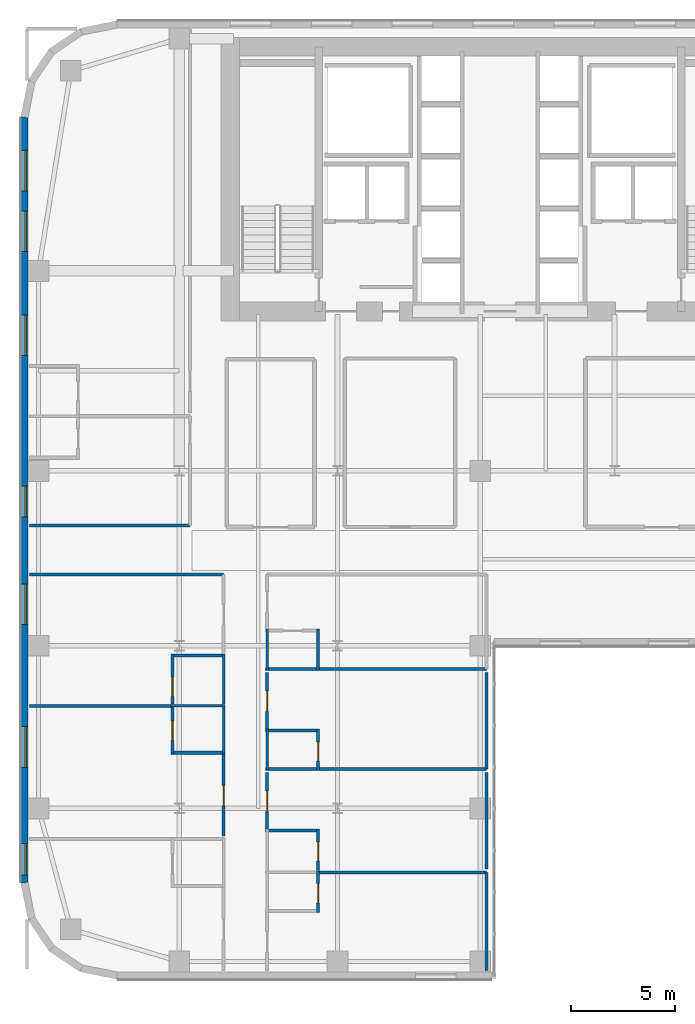
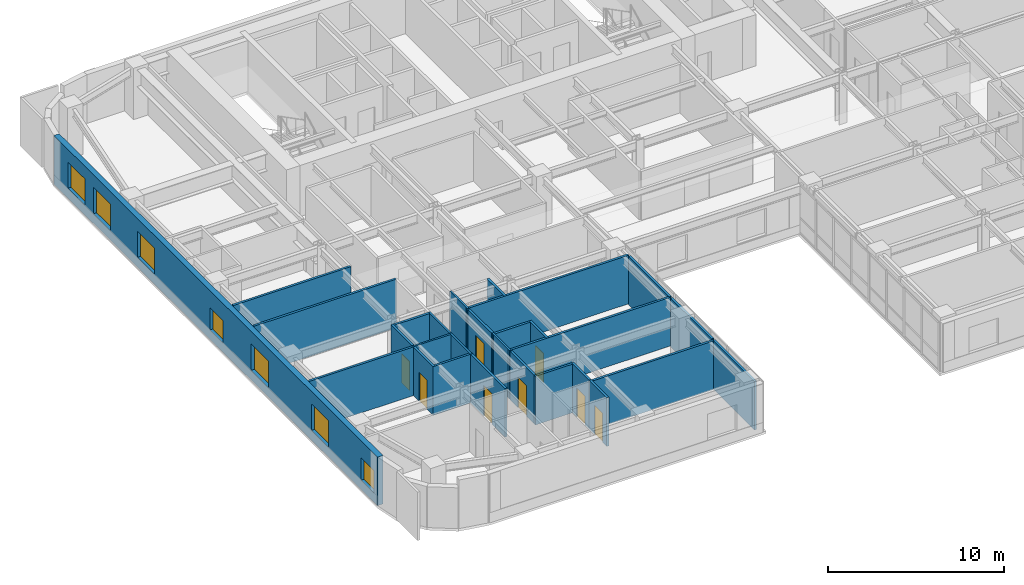
# One storey, part 14 of 25: 28 walls, 8 doors, 7 windows, 15 openings.
"""IFC4 building model written with IfcOpenShell, lengths in metres."""

from ifc_helpers import new_model, si_unit, direction, frame, frame_2d, origin, place, context, subcontext, project, spatial, rectangle, extrude, source, transform, mapped, material, layer, layer_set, type_object, type_shapes, element, fill, save


model = new_model("IFC4")

# Units and contexts
model_context = context("Model", 3, precision=1e-05, world=origin(), true_north=direction((0.0, 1.0)))
body_context = subcontext(model_context, "Body", "Model", "MODEL_VIEW")
ifc_project = project(units=[si_unit("LENGTHUNIT", "METRE"), si_unit("AREAUNIT", "SQUARE_METRE"), si_unit("VOLUMEUNIT", "CUBIC_METRE"), si_unit("PLANEANGLEUNIT", "RADIAN"), si_unit("MASSUNIT", "GRAM", prefix="KILO")], contexts=[model_context])

# Site, building, storey
site_placement = place(None, origin())
site = spatial("IfcSite", under=ifc_project, at=site_placement, CompositionType="ELEMENT")
building_placement = place(site_placement, origin())
building = spatial("IfcBuilding", under=site, at=building_placement, Name="Tolvann Quenvar Hotel", CompositionType="ELEMENT")
storey_placement = place(building_placement, frame((0.0, 0.0, 46.199951171875)))
storey = spatial("IfcBuildingStorey", under=building, at=storey_placement, Name="L10", CompositionType="ELEMENT", Elevation=46.199951171875)

# Wall, openings, windows
ifc_material_1 = material(Name="Kiln-fired red and buff architectural clay brickwork and terracotta masonry", Category="masonry")
ifc_layer_1 = layer(ifc_material_1, 0.35009765625)
ifc_layer_set_1 = layer_set([ifc_layer_1], Name="Kiln-fired red and buff architectural clay brickwork and terracotta masonry")
wall_type_1 = type_object("IfcWallType", Name="WALL_EXT_BRICK_350", PredefinedType="SOLIDWALL", material=ifc_layer_set_1)
wall_1_placement = place(storey_placement, frame((0.175048828125, 41.3828125, 0.0), z_axis=(0.0, 0.0, 1.0), x_axis=(0.0, -1.0, 0.0)))
wall_1 = element("IfcWall", 1, at=wall_1_placement, inside=storey, type_object=wall_type_1, Name="Exterior Chicago Brick Wall L10-E23", PredefinedType="SOLIDWALL", context=body_context, shape_type="SweptSolid", body=[
    extrude(rectangle(XDim=36.765625, YDim=0.35009765625, at=frame_2d((18.3828125, 0.0))), origin(), (0.0, 0.0, 1.0), 3.3701171875),
])
opening_1_placement = place(wall_1_placement, frame((1.60107421875, 0.0, 0.679931640625)))
opening_1 = element("IfcOpeningElement", 2, at=opening_1_placement, cuts=wall_1, Name="Opening W-10", PredefinedType="OPENING", context=body_context, shape_type="SweptSolid", body=[
    extrude(rectangle(XDim=1.949951171875, YDim=1.820068359375, at=frame_2d((0.97509765625, 0.91015625))), frame((0.0, 0.18505859375, 0.0), z_axis=(0.0, -1.0, 0.0), x_axis=(1.0, 0.0, 0.0)), (0.0, 0.0, 1.0), 0.3701171875),
])
opening_2_placement = place(wall_1_placement, frame((4.5029296875, 0.0, 0.679931640625)))
opening_2 = element("IfcOpeningElement", 3, at=opening_2_placement, cuts=wall_1, Name="Opening W-10", PredefinedType="OPENING", context=body_context, shape_type="SweptSolid", body=[
    extrude(rectangle(XDim=1.949951171875, YDim=1.820068359375, at=frame_2d((0.97509765625, 0.91015625))), frame((0.0, 0.18505859375, 0.0), z_axis=(0.0, -1.0, 0.0), x_axis=(1.0, 0.0, 0.0)), (0.0, 0.0, 1.0), 0.3701171875),
])
opening_3_placement = place(wall_1_placement, frame((9.50390625, 0.0, 0.679931640625)))
opening_3 = element("IfcOpeningElement", 4, at=opening_3_placement, cuts=wall_1, Name="Opening W-10", PredefinedType="OPENING", context=body_context, shape_type="SweptSolid", body=[
    extrude(rectangle(XDim=1.949951171875, YDim=1.820068359375, at=frame_2d((0.97509765625, 0.91015625))), frame((0.0, 0.18505859375, 0.0), z_axis=(0.0, -1.0, 0.0), x_axis=(1.0, 0.0, 0.0)), (0.0, 0.0, 1.0), 0.3701171875),
])
opening_4_placement = place(wall_1_placement, frame((22.409912109375, 0.0, 0.679931640625)))
opening_4 = element("IfcOpeningElement", 5, at=opening_4_placement, cuts=wall_1, Name="Opening W-10", PredefinedType="OPENING", context=body_context, shape_type="SweptSolid", body=[
    extrude(rectangle(XDim=1.949951171875, YDim=1.820068359375, at=frame_2d((0.97509765625, 0.91015625))), frame((0.0, 0.18505859375, 0.0), z_axis=(0.0, -1.0, 0.0), x_axis=(1.0, 0.0, 0.0)), (0.0, 0.0, 1.0), 0.3701171875),
])
opening_5_placement = place(wall_1_placement, frame((29.262939453125, 0.0, 0.679931640625)))
opening_5 = element("IfcOpeningElement", 6, at=opening_5_placement, cuts=wall_1, Name="Opening W-10", PredefinedType="OPENING", context=body_context, shape_type="SweptSolid", body=[
    extrude(rectangle(XDim=1.949951171875, YDim=1.820068359375, at=frame_2d((0.97509765625, 0.91015625))), frame((0.0, 0.18505859375, 0.0), z_axis=(0.0, -1.0, 0.0), x_axis=(1.0, 0.0, 0.0)), (0.0, 0.0, 1.0), 0.3701171875),
])
opening_6_placement = place(wall_1_placement, frame((34.87890625, 0.0, 0.6201171875)))
opening_6 = element("IfcOpeningElement", 7, at=opening_6_placement, cuts=wall_1, Name="Opening W-08", PredefinedType="OPENING", context=body_context, shape_type="SweptSolid", body=[
    extrude(rectangle(XDim=1.5, YDim=1.550048828125, at=frame_2d((0.75, 0.77490234375))), frame((0.0, 0.18505859375, 0.0), z_axis=(0.0, -1.0, 0.0), x_axis=(1.0, 0.0, 0.0)), (0.0, 0.0, 1.0), 0.3701171875),
])
opening_7_placement = place(wall_1_placement, frame((17.7041015625, 0.0, 0.6201171875)))
opening_7 = element("IfcOpeningElement", 8, at=opening_7_placement, cuts=wall_1, Name="Opening W-08", PredefinedType="OPENING", context=body_context, shape_type="SweptSolid", body=[
    extrude(rectangle(XDim=1.5, YDim=1.550048828125, at=frame_2d((0.75, 0.77490234375))), frame((0.0, 0.18505859375, 0.0), z_axis=(0.0, -1.0, 0.0), x_axis=(1.0, 0.0, 0.0)), (0.0, 0.0, 1.0), 0.3701171875),
])
ifc_material_2 = material(Name="Thermally broken bronze-anodised aluminium frame with double low-E glazing", Category="aluminium")
window_type_1 = type_object("IfcWindowType", Name="WIN_COR_1500x2050", PartitioningType="SINGLE_PANEL", PredefinedType="WINDOW", material=ifc_material_2)
shared_shape_1 = source(origin(), body_context, "Body", "SweptSolid", [
    extrude(rectangle(XDim=1.5, YDim=1.550048828125, at=frame_2d((0.75, 0.77490234375))), frame((0.0, 0.090087890625, 0.0), z_axis=(0.0, -1.0, 0.0), x_axis=(1.0, 0.0, 0.0)), (0.0, 0.0, 1.0), 0.06005859375),
])
type_shapes(window_type_1, [shared_shape_1])
window_1_placement = place(opening_6_placement, origin())
window_1 = element("IfcWindow", 9, at=window_1_placement, inside=storey, type_object=window_type_1, Name="Chicago Window W-08 (EW-L10-E23-WD06)", OverallHeight=1.550048828125, OverallWidth=1.5, PartitioningType="SINGLE_PANEL", PredefinedType="WINDOW", context=body_context, shape_type="MappedRepresentation", body=[
    mapped(shared_shape_1, transform((0.0, 0.0, 0.0), x_axis=(1.0, 0.0, 0.0), y_axis=(0.0, 1.0, 0.0), z_axis=(0.0, 0.0, 1.0), scale=1.0)),
])
fill(opening_6, window_1)
window_2_placement = place(opening_7_placement, origin())
window_2 = element("IfcWindow", 10, at=window_2_placement, inside=storey, type_object=window_type_1, Name="Chicago Window W-08 (EW-L10-E23-WD07)", OverallHeight=1.550048828125, OverallWidth=1.5, PartitioningType="SINGLE_PANEL", PredefinedType="WINDOW", context=body_context, shape_type="MappedRepresentation", body=[
    mapped(shared_shape_1, transform((0.0, 0.0, 0.0), x_axis=(1.0, 0.0, 0.0), y_axis=(0.0, 1.0, 0.0), z_axis=(0.0, 0.0, 1.0), scale=1.0)),
])
fill(opening_7, window_2)
window_type_2 = type_object("IfcWindowType", Name="WIN_CLB_1950x1850", PartitioningType="DOUBLE_PANEL_VERTICAL", PredefinedType="WINDOW", material=ifc_material_2)
shared_shape_2 = source(origin(), body_context, "Body", "SweptSolid", [
    extrude(rectangle(XDim=1.949951171875, YDim=1.820068359375, at=frame_2d((0.97509765625, 0.91015625))), frame((0.0, 0.090087890625, 0.0), z_axis=(0.0, -1.0, 0.0), x_axis=(1.0, 0.0, 0.0)), (0.0, 0.0, 1.0), 0.06005859375),
])
type_shapes(window_type_2, [shared_shape_2])
window_3_placement = place(opening_1_placement, origin())
window_3 = element("IfcWindow", 11, at=window_3_placement, inside=storey, type_object=window_type_2, Name="Chicago Window W-10 (EW-L10-E23-W01)", OverallHeight=1.820068359375, OverallWidth=1.949951171875, PartitioningType="DOUBLE_PANEL_VERTICAL", PredefinedType="WINDOW", context=body_context, shape_type="MappedRepresentation", body=[
    mapped(shared_shape_2, transform((0.0, 0.0, 0.0), x_axis=(1.0, 0.0, 0.0), y_axis=(0.0, 1.0, 0.0), z_axis=(0.0, 0.0, 1.0), scale=1.0)),
])
fill(opening_1, window_3)
window_4_placement = place(opening_2_placement, origin())
window_4 = element("IfcWindow", 12, at=window_4_placement, inside=storey, type_object=window_type_2, Name="Chicago Window W-10 (EW-L10-E23-W02)", OverallHeight=1.820068359375, OverallWidth=1.949951171875, PartitioningType="DOUBLE_PANEL_VERTICAL", PredefinedType="WINDOW", context=body_context, shape_type="MappedRepresentation", body=[
    mapped(shared_shape_2, transform((0.0, 0.0, 0.0), x_axis=(1.0, 0.0, 0.0), y_axis=(0.0, 1.0, 0.0), z_axis=(0.0, 0.0, 1.0), scale=1.0)),
])
fill(opening_2, window_4)
window_5_placement = place(opening_3_placement, origin())
window_5 = element("IfcWindow", 13, at=window_5_placement, inside=storey, type_object=window_type_2, Name="Chicago Window W-10 (EW-L10-E23-W03)", OverallHeight=1.820068359375, OverallWidth=1.949951171875, PartitioningType="DOUBLE_PANEL_VERTICAL", PredefinedType="WINDOW", context=body_context, shape_type="MappedRepresentation", body=[
    mapped(shared_shape_2, transform((0.0, 0.0, 0.0), x_axis=(1.0, 0.0, 0.0), y_axis=(0.0, 1.0, 0.0), z_axis=(0.0, 0.0, 1.0), scale=1.0)),
])
fill(opening_3, window_5)
window_6_placement = place(opening_4_placement, origin())
window_6 = element("IfcWindow", 14, at=window_6_placement, inside=storey, type_object=window_type_2, Name="Chicago Window W-10 (EW-L10-E23-W04)", OverallHeight=1.820068359375, OverallWidth=1.949951171875, PartitioningType="DOUBLE_PANEL_VERTICAL", PredefinedType="WINDOW", context=body_context, shape_type="MappedRepresentation", body=[
    mapped(shared_shape_2, transform((0.0, 0.0, 0.0), x_axis=(1.0, 0.0, 0.0), y_axis=(0.0, 1.0, 0.0), z_axis=(0.0, 0.0, 1.0), scale=1.0)),
])
fill(opening_4, window_6)
window_7_placement = place(opening_5_placement, origin())
window_7 = element("IfcWindow", 15, at=window_7_placement, inside=storey, type_object=window_type_2, Name="Chicago Window W-10 (EW-L10-E23-W05)", OverallHeight=1.820068359375, OverallWidth=1.949951171875, PartitioningType="DOUBLE_PANEL_VERTICAL", PredefinedType="WINDOW", context=body_context, shape_type="MappedRepresentation", body=[
    mapped(shared_shape_2, transform((0.0, 0.0, 0.0), x_axis=(1.0, 0.0, 0.0), y_axis=(0.0, 1.0, 0.0), z_axis=(0.0, 0.0, 1.0), scale=1.0)),
])
fill(opening_5, window_7)

# Walls
ifc_material_3 = material(Name="Moisture-resistant acoustic plumbing wall assembly")
ifc_layer_2 = layer(ifc_material_3, 0.1201171875)
ifc_layer_set_2 = layer_set([ifc_layer_2], Name="Moisture-resistant acoustic plumbing wall assembly")
wall_type_2 = type_object("IfcWallType", Name="WALL_PART_BATH_120", PredefinedType="PLUMBINGWALL", material=ifc_layer_set_2)
wall_2_placement = place(storey_placement, frame((7.2099609375, 13.1201171875, 0.0), z_axis=(0.0, 0.0, 1.0), x_axis=(1.0, 0.0, 0.0)))
element("IfcWall", 16, at=wall_2_placement, inside=storey, type_object=wall_type_2, Name="Non-Rated Plumbing Partition PT-SPC-L10-ENS-WO02-N", PredefinedType="PLUMBINGWALL", context=body_context, shape_type="SweptSolid", body=[
    extrude(rectangle(XDim=2.590087890625, YDim=0.1201171875, at=frame_2d((1.294921875, 0.0))), origin(), (0.0, 0.0, 1.0), 3.3701171875),
])
wall_3_placement = place(storey_placement, frame((9.72998046875, 10.800048828125, 0.0), z_axis=(0.0, 0.0, 1.0), x_axis=(0.0, 1.0, 0.0)))
element("IfcWall", 17, at=wall_3_placement, inside=storey, type_object=wall_type_2, Name="Non-Rated Plumbing Partition PT-SPC-L10-ENS-WO02-E", PredefinedType="PLUMBINGWALL", context=body_context, shape_type="SweptSolid", body=[
    extrude(rectangle(XDim=2.389892578125, YDim=0.1201171875, at=frame_2d((1.19482421875, 0.0))), origin(), (0.0, 0.0, 1.0), 3.3701171875),
])
wall_4_placement = place(storey_placement, frame((9.72998046875, 13.2099609375, 0.0), z_axis=(0.0, 0.0, 1.0), x_axis=(0.0, 1.0, 0.0)))
element("IfcWall", 18, at=wall_4_placement, inside=storey, type_object=wall_type_2, Name="Non-Rated Plumbing Partition PT-SPC-L10-ENS-WO03-E", PredefinedType="PLUMBINGWALL", context=body_context, shape_type="SweptSolid", body=[
    extrude(rectangle(XDim=2.39013671875, YDim=0.1201171875, at=frame_2d((1.195068359375, 0.0))), origin(), (0.0, 0.0, 1.0), 3.3701171875),
])
for number, where, z_axis, x_axis, name in (
    (19, (11.820068359375, 10.010009765625, 0.0), (0.0, 0.0, 1.0), (0.0, 1.0, 0.0), "Non-Rated Plumbing Partition PT-SPC-L10-ENS-WI03-W"),
    (20, (11.820068359375, 14.81005859375, 0.0), (0.0, 0.0, 1.0), (0.0, 1.0, 0.0), "Non-Rated Plumbing Partition PT-SPC-L10-ENS-WI04-W"),
):
    element("IfcWall", number, at=place(storey_placement, frame(where, z_axis=z_axis, x_axis=x_axis)), inside=storey, type_object=wall_type_2, Name=name, PredefinedType="PLUMBINGWALL", context=body_context, shape_type="SweptSolid", body=[
        extrude(rectangle(XDim=1.989990234375, YDim=0.1201171875, at=frame_2d((0.9951171875, 0.0))), origin(), (0.0, 0.0, 1.0), 3.3701171875),
    ])

# Wall, opening, door
ifc_material_4 = material(Name="Acoustic twin-stud fire-rated gypsum plasterboard partition")
ifc_layer_3 = layer(ifc_material_4, 0.14990234375)
ifc_layer_set_3 = layer_set([ifc_layer_3], Name="Acoustic twin-stud fire-rated gypsum plasterboard partition")
wall_type_3 = type_object("IfcWallType", Name="WALL_PART_SUITE_150", PredefinedType="PARTITIONING", material=ifc_layer_set_3)
wall_5_placement = place(storey_placement, frame((7.280029296875, 10.800048828125, 0.0), z_axis=(0.0, 0.0, 1.0), x_axis=(0.0, 1.0, 0.0)))
wall_5 = element("IfcWall", 21, at=wall_5_placement, inside=storey, type_object=wall_type_3, Name="Interior Partition PT-SPC-L10-ENS-WO02-ENT", PredefinedType="PARTITIONING", context=body_context, shape_type="SweptSolid", body=[
    extrude(rectangle(XDim=2.389892578125, YDim=0.14990234375, at=frame_2d((1.19482421875, 0.0))), origin(), (0.0, 0.0, 1.0), 3.3701171875),
])
opening_8_placement = place(wall_5_placement, frame((0.6650390625, 0.0, 0.0)))
opening_8 = element("IfcOpeningElement", 22, at=opening_8_placement, cuts=wall_5, Name="Opening WD-01", PredefinedType="OPENING", context=body_context, shape_type="SweptSolid", body=[
    extrude(rectangle(XDim=0.919921875, YDim=2.010009765625, at=frame_2d((0.4599609375, 1.0048828125))), frame((0.0, 0.0849609375, 0.0), z_axis=(0.0, -1.0, 0.0), x_axis=(1.0, 0.0, 0.0)), (0.0, 0.0, 1.0), 0.169921875),
])
ifc_material_5 = material(Name="Solid-core American oak acoustic fire door leaf in steel frame", Category="steel")
door_type_1 = type_object("IfcDoorType", Name="DOOR_WC_920", OperationType="NOTDEFINED", PredefinedType="DOOR", material=ifc_material_5)
shared_shape_3 = source(origin(), body_context, "Body", "SweptSolid", [
    extrude(rectangle(XDim=0.919921875, YDim=2.010009765625, at=frame_2d((0.4599609375, 1.0048828125))), frame((0.0, 0.02490234375, 0.0), z_axis=(0.0, -1.0, 0.0), x_axis=(1.0, 0.0, 0.0)), (0.0, 0.0, 1.0), 0.050048828125),
])
type_shapes(door_type_1, [shared_shape_3])
door_1_placement = place(opening_8_placement, origin())
door_1 = element("IfcDoor", 23, at=door_1_placement, inside=storey, type_object=door_type_1, Name="Interior Door DOOR-SPC-L10-ENS-WO02", OperationType="SINGLE_SWING_LEFT", OverallHeight=2.010009765625, OverallWidth=0.919921875, PredefinedType="DOOR", context=body_context, shape_type="MappedRepresentation", body=[
    mapped(shared_shape_3, transform((0.0, 0.0, 0.0), x_axis=(1.0, 0.0, 0.0), y_axis=(0.0, 1.0, 0.0), z_axis=(0.0, 0.0, 1.0), scale=1.0)),
])
fill(opening_8, door_1)

# Wall
wall_6_placement = place(storey_placement, frame((7.2099609375, 10.8701171875, 0.0), z_axis=(0.0, 0.0, 1.0), x_axis=(1.0, 0.0, 0.0)))
element("IfcWall", 24, at=wall_6_placement, inside=storey, type_object=wall_type_3, Name="Interior Partition PT-SPC-L10-ENS-WO02-S", PredefinedType="PARTITIONING", context=body_context, shape_type="SweptSolid", body=[
    extrude(rectangle(XDim=2.590087890625, YDim=0.14990234375, at=frame_2d((1.294921875, 0.0))), origin(), (0.0, 0.0, 1.0), 3.3701171875),
])

# Wall, opening, door
wall_7_placement = place(storey_placement, frame((7.280029296875, 13.2099609375, 0.0), z_axis=(0.0, 0.0, 1.0), x_axis=(0.0, 1.0, 0.0)))
wall_7 = element("IfcWall", 25, at=wall_7_placement, inside=storey, type_object=wall_type_3, Name="Interior Partition PT-SPC-L10-ENS-WO03-ENT", PredefinedType="PARTITIONING", context=body_context, shape_type="SweptSolid", body=[
    extrude(rectangle(XDim=2.39013671875, YDim=0.14990234375, at=frame_2d((1.195068359375, 0.0))), origin(), (0.0, 0.0, 1.0), 3.3701171875),
])
opening_9_placement = place(wall_7_placement, frame((0.364990234375, 0.0, 0.0)))
opening_9 = element("IfcOpeningElement", 26, at=opening_9_placement, cuts=wall_7, Name="Opening WD-01", PredefinedType="OPENING", context=body_context, shape_type="SweptSolid", body=[
    extrude(rectangle(XDim=0.919921875, YDim=2.010009765625, at=frame_2d((0.4599609375, 1.0048828125))), frame((0.0, 0.0849609375, 0.0), z_axis=(0.0, -1.0, 0.0), x_axis=(1.0, 0.0, 0.0)), (0.0, 0.0, 1.0), 0.169921875),
])
door_2_placement = place(opening_9_placement, origin())
door_2 = element("IfcDoor", 27, at=door_2_placement, inside=storey, type_object=door_type_1, Name="Interior Door DOOR-SPC-L10-ENS-WO03", OperationType="SINGLE_SWING_RIGHT", OverallHeight=2.010009765625, OverallWidth=0.919921875, PredefinedType="DOOR", context=body_context, shape_type="MappedRepresentation", body=[
    mapped(shared_shape_3, transform((0.0, 0.0, 0.0), x_axis=(1.0, 0.0, 0.0), y_axis=(0.0, 1.0, 0.0), z_axis=(0.0, 0.0, 1.0), scale=1.0)),
])
fill(opening_9, door_2)

# Wall
wall_8_placement = place(storey_placement, frame((7.2099609375, 15.530029296875, 0.0), z_axis=(0.0, 0.0, 1.0), x_axis=(1.0, 0.0, 0.0)))
element("IfcWall", 28, at=wall_8_placement, inside=storey, type_object=wall_type_3, Name="Interior Partition PT-SPC-L10-ENS-WO03-N", PredefinedType="PARTITIONING", context=body_context, shape_type="SweptSolid", body=[
    extrude(rectangle(XDim=2.590087890625, YDim=0.14990234375, at=frame_2d((1.294921875, 0.0))), origin(), (0.0, 0.0, 1.0), 3.3701171875),
])

# Wall, opening, door
wall_9_placement = place(storey_placement, frame((14.27001953125, 3.199951171875, 0.0), z_axis=(0.0, 0.0, 1.0), x_axis=(0.0, 1.0, 0.0)))
wall_9 = element("IfcWall", 29, at=wall_9_placement, inside=storey, type_object=wall_type_3, Name="Interior Partition PT-SPC-L10-ENS-WI01-ENT", PredefinedType="PARTITIONING", context=body_context, shape_type="SweptSolid", body=[
    extrude(rectangle(XDim=1.989990234375, YDim=0.14990234375, at=frame_2d((0.9951171875, 0.0))), origin(), (0.0, 0.0, 1.0), 3.3701171875),
])
opening_10_placement = place(wall_9_placement, frame((0.465087890625, 0.0, 0.0)))
opening_10 = element("IfcOpeningElement", 30, at=opening_10_placement, cuts=wall_9, Name="Opening WD-01", PredefinedType="OPENING", context=body_context, shape_type="SweptSolid", body=[
    extrude(rectangle(XDim=0.919921875, YDim=2.010009765625, at=frame_2d((0.4599609375, 1.0048828125))), frame((0.0, 0.0849609375, 0.0), z_axis=(0.0, -1.0, 0.0), x_axis=(1.0, 0.0, 0.0)), (0.0, 0.0, 1.0), 0.169921875),
])
door_3_placement = place(opening_10_placement, origin())
door_3 = element("IfcDoor", 31, at=door_3_placement, inside=storey, type_object=door_type_1, Name="Interior Door DOOR-SPC-L10-ENS-WI01", OperationType="SINGLE_SWING_LEFT", OverallHeight=2.010009765625, OverallWidth=0.919921875, PredefinedType="DOOR", context=body_context, shape_type="MappedRepresentation", body=[
    mapped(shared_shape_3, transform((0.0, 0.0, 0.0), x_axis=(1.0, 0.0, 0.0), y_axis=(0.0, 1.0, 0.0), z_axis=(0.0, 0.0, 1.0), scale=1.0)),
])
fill(opening_10, door_3)

wall_10_placement = place(storey_placement, frame((14.27001953125, 5.2099609375, 0.0), z_axis=(0.0, 0.0, 1.0), x_axis=(0.0, 1.0, 0.0)))
wall_10 = element("IfcWall", 32, at=wall_10_placement, inside=storey, type_object=wall_type_3, Name="Interior Partition PT-SPC-L10-ENS-WI02-ENT", PredefinedType="PARTITIONING", context=body_context, shape_type="SweptSolid", body=[
    extrude(rectangle(XDim=1.989990234375, YDim=0.14990234375, at=frame_2d((0.9951171875, 0.0))), origin(), (0.0, 0.0, 1.0), 3.3701171875),
])
opening_11_placement = place(wall_10_placement, frame((0.465087890625, 0.0, 0.0)))
opening_11 = element("IfcOpeningElement", 33, at=opening_11_placement, cuts=wall_10, Name="Opening WD-01", PredefinedType="OPENING", context=body_context, shape_type="SweptSolid", body=[
    extrude(rectangle(XDim=0.919921875, YDim=2.010009765625, at=frame_2d((0.4599609375, 1.0048828125))), frame((0.0, 0.0849609375, 0.0), z_axis=(0.0, -1.0, 0.0), x_axis=(1.0, 0.0, 0.0)), (0.0, 0.0, 1.0), 0.169921875),
])
door_4_placement = place(opening_11_placement, origin())
door_4 = element("IfcDoor", 34, at=door_4_placement, inside=storey, type_object=door_type_1, Name="Interior Door DOOR-SPC-L10-ENS-WI02", OperationType="SINGLE_SWING_RIGHT", OverallHeight=2.010009765625, OverallWidth=0.919921875, PredefinedType="DOOR", context=body_context, shape_type="MappedRepresentation", body=[
    mapped(shared_shape_3, transform((0.0, 0.0, 0.0), x_axis=(1.0, 0.0, 0.0), y_axis=(0.0, 1.0, 0.0), z_axis=(0.0, 0.0, 1.0), scale=1.0)),
])
fill(opening_11, door_4)

# Wall
wall_11_placement = place(storey_placement, frame((11.75, 7.1298828125, 0.0), z_axis=(0.0, 0.0, 1.0), x_axis=(1.0, 0.0, 0.0)))
element("IfcWall", 35, at=wall_11_placement, inside=storey, type_object=wall_type_3, Name="Interior Partition PT-SPC-L10-ENS-WI02-N", PredefinedType="PARTITIONING", context=body_context, shape_type="SweptSolid", body=[
    extrude(rectangle(XDim=2.590087890625, YDim=0.14990234375, at=frame_2d((1.294921875, 0.0))), origin(), (0.0, 0.0, 1.0), 3.3701171875),
])

# Wall, opening, door
wall_12_placement = place(storey_placement, frame((14.27001953125, 10.010009765625, 0.0), z_axis=(0.0, 0.0, 1.0), x_axis=(0.0, 1.0, 0.0)))
wall_12 = element("IfcWall", 36, at=wall_12_placement, inside=storey, type_object=wall_type_3, Name="Interior Partition PT-SPC-L10-ENS-WI03-ENT", PredefinedType="PARTITIONING", context=body_context, shape_type="SweptSolid", body=[
    extrude(rectangle(XDim=1.989990234375, YDim=0.14990234375, at=frame_2d((0.9951171875, 0.0))), origin(), (0.0, 0.0, 1.0), 3.3701171875),
])
opening_12_placement = place(wall_12_placement, frame((0.465087890625, 0.0, 0.0)))
opening_12 = element("IfcOpeningElement", 37, at=opening_12_placement, cuts=wall_12, Name="Opening WD-01", PredefinedType="OPENING", context=body_context, shape_type="SweptSolid", body=[
    extrude(rectangle(XDim=0.919921875, YDim=2.010009765625, at=frame_2d((0.4599609375, 1.0048828125))), frame((0.0, 0.0849609375, 0.0), z_axis=(0.0, -1.0, 0.0), x_axis=(1.0, 0.0, 0.0)), (0.0, 0.0, 1.0), 0.169921875),
])
door_5_placement = place(opening_12_placement, origin())
door_5 = element("IfcDoor", 38, at=door_5_placement, inside=storey, type_object=door_type_1, Name="Interior Door DOOR-SPC-L10-ENS-WI03", OperationType="SINGLE_SWING_LEFT", OverallHeight=2.010009765625, OverallWidth=0.919921875, PredefinedType="DOOR", context=body_context, shape_type="MappedRepresentation", body=[
    mapped(shared_shape_3, transform((0.0, 0.0, 0.0), x_axis=(1.0, 0.0, 0.0), y_axis=(0.0, 1.0, 0.0), z_axis=(0.0, 0.0, 1.0), scale=1.0)),
])
fill(opening_12, door_5)

# Walls
wall_13_placement = place(storey_placement, frame((11.75, 10.080078125, 0.0), z_axis=(0.0, 0.0, 1.0), x_axis=(1.0, 0.0, 0.0)))
element("IfcWall", 39, at=wall_13_placement, inside=storey, type_object=wall_type_3, Name="Interior Partition PT-SPC-L10-ENS-WI03-S", PredefinedType="PARTITIONING", context=body_context, shape_type="SweptSolid", body=[
    extrude(rectangle(XDim=10.60009765625, YDim=0.14990234375, at=frame_2d((5.300048828125, 0.0))), origin(), (0.0, 0.0, 1.0), 3.3701171875),
])
wall_14_placement = place(storey_placement, frame((11.75, 11.929931640625, 0.0), z_axis=(0.0, 0.0, 1.0), x_axis=(1.0, 0.0, 0.0)))
element("IfcWall", 40, at=wall_14_placement, inside=storey, type_object=wall_type_3, Name="Interior Partition PT-SPC-L10-ENS-WI03-N", PredefinedType="PARTITIONING", context=body_context, shape_type="SweptSolid", body=[
    extrude(rectangle(XDim=2.590087890625, YDim=0.14990234375, at=frame_2d((1.294921875, 0.0))), origin(), (0.0, 0.0, 1.0), 3.3701171875),
])
wall_15_placement = place(storey_placement, frame((14.27001953125, 14.81005859375, 0.0), z_axis=(0.0, 0.0, 1.0), x_axis=(0.0, 1.0, 0.0)))
element("IfcWall", 41, at=wall_15_placement, inside=storey, type_object=wall_type_3, Name="Interior Partition PT-SPC-L10-ENS-WI04-ENT", PredefinedType="PARTITIONING", context=body_context, shape_type="SweptSolid", body=[
    extrude(rectangle(XDim=1.989990234375, YDim=0.14990234375, at=frame_2d((0.9951171875, 0.0))), origin(), (0.0, 0.0, 1.0), 3.3701171875),
])
wall_16_placement = place(storey_placement, frame((11.75, 14.8798828125, 0.0), z_axis=(0.0, 0.0, 1.0), x_axis=(1.0, 0.0, 0.0)))
element("IfcWall", 42, at=wall_16_placement, inside=storey, type_object=wall_type_3, Name="Interior Partition PT-SPC-L10-ENS-WI04-S", PredefinedType="PARTITIONING", context=body_context, shape_type="SweptSolid", body=[
    extrude(rectangle(XDim=10.60009765625, YDim=0.14990234375, at=frame_2d((5.300048828125, 0.0))), origin(), (0.0, 0.0, 1.0), 3.3701171875),
])

# Wall, opening, door
wall_17_placement = place(storey_placement, frame((9.72998046875, 6.8798828125, 0.0), z_axis=(0.0, 0.0, 1.0), x_axis=(0.0, 1.0, 0.0)))
wall_17 = element("IfcWall", 43, at=wall_17_placement, inside=storey, type_object=wall_type_3, Name="Interior Partition PT-SPC-L10-RM-WO02-ENT", PredefinedType="PARTITIONING", context=body_context, shape_type="SweptSolid", body=[
    extrude(rectangle(XDim=3.91015625, YDim=0.14990234375, at=frame_2d((1.955078125, 0.0))), origin(), (0.0, 0.0, 1.0), 3.3701171875),
])
opening_13_placement = place(wall_17_placement, frame((1.445068359375, 0.0, 0.0)))
opening_13 = element("IfcOpeningElement", 44, at=opening_13_placement, cuts=wall_17, Name="Opening SD-01", PredefinedType="OPENING", context=body_context, shape_type="SweptSolid", body=[
    extrude(rectangle(XDim=0.97998046875, YDim=2.1201171875, at=frame_2d((0.489990234375, 1.06005859375))), frame((0.0, 0.0849609375, 0.0), z_axis=(0.0, -1.0, 0.0), x_axis=(1.0, 0.0, 0.0)), (0.0, 0.0, 1.0), 0.169921875),
])
door_type_2 = type_object("IfcDoorType", Name="DOOR_SUITE_980", OperationType="NOTDEFINED", PredefinedType="DOOR", material=ifc_material_5)
shared_shape_4 = source(origin(), body_context, "Body", "SweptSolid", [
    extrude(rectangle(XDim=0.97998046875, YDim=2.1201171875, at=frame_2d((0.489990234375, 1.06005859375))), frame((0.0, 0.02490234375, 0.0), z_axis=(0.0, -1.0, 0.0), x_axis=(1.0, 0.0, 0.0)), (0.0, 0.0, 1.0), 0.050048828125),
])
type_shapes(door_type_2, [shared_shape_4])
door_6_placement = place(opening_13_placement, origin())
door_6 = element("IfcDoor", 45, at=door_6_placement, inside=storey, type_object=door_type_2, Name="Interior Door DOOR-SPC-L10-RM-WO02", OperationType="SINGLE_SWING_RIGHT", OverallHeight=2.1201171875, OverallWidth=0.97998046875, PredefinedType="DOOR", context=body_context, shape_type="MappedRepresentation", body=[
    mapped(shared_shape_4, transform((0.0, 0.0, 0.0), x_axis=(1.0, 0.0, 0.0), y_axis=(0.0, 1.0, 0.0), z_axis=(0.0, 0.0, 1.0), scale=1.0)),
])
fill(opening_13, door_6)

# Walls
wall_18_placement = place(storey_placement, frame((0.405029296875, 13.1201171875, 0.0), z_axis=(0.0, 0.0, 1.0), x_axis=(1.0, 0.0, 0.0)))
element("IfcWall", 46, at=wall_18_placement, inside=storey, type_object=wall_type_3, Name="Interior Partition PT-SPC-L10-RM-WO02-E5", PredefinedType="PARTITIONING", context=body_context, shape_type="SweptSolid", body=[
    extrude(rectangle(XDim=6.85498046875, YDim=0.14990234375, at=frame_2d((3.427490234375, 0.0))), origin(), (0.0, 0.0, 1.0), 3.3701171875),
])
wall_19_placement = place(storey_placement, frame((0.405029296875, 19.419921875, 0.0), z_axis=(0.0, 0.0, 1.0), x_axis=(1.0, 0.0, 0.0)))
element("IfcWall", 47, at=wall_19_placement, inside=storey, type_object=wall_type_3, Name="Interior Partition PT-SPC-L10-RM-WO03-E5", PredefinedType="PARTITIONING", context=body_context, shape_type="SweptSolid", body=[
    extrude(rectangle(XDim=9.324951171875, YDim=0.14990234375, at=frame_2d((4.66259765625, 0.0))), origin(), (0.0, 0.0, 1.0), 3.3701171875),
])
wall_20_placement = place(storey_placement, frame((22.35009765625, 0.405029296875, 0.0), z_axis=(0.0, 0.0, 1.0), x_axis=(0.0, 1.0, 0.0)))
element("IfcWall", 48, at=wall_20_placement, inside=storey, type_object=wall_type_3, Name="Interior Partition PT-SPC-L10-RM-WI01-E2", PredefinedType="PARTITIONING", context=body_context, shape_type="SweptSolid", body=[
    extrude(rectangle(XDim=4.715087890625, YDim=0.14990234375, at=frame_2d((2.357421875, 0.0))), origin(), (0.0, 0.0, 1.0), 3.3701171875),
])
wall_21_placement = place(storey_placement, frame((14.2900390625, 5.1201171875, 0.0), z_axis=(0.0, 0.0, 1.0), x_axis=(1.0, 0.0, 0.0)))
element("IfcWall", 49, at=wall_21_placement, inside=storey, type_object=wall_type_3, Name="Interior Partition PT-SPC-L10-RM-WI01-E3", PredefinedType="PARTITIONING", context=body_context, shape_type="SweptSolid", body=[
    extrude(rectangle(XDim=8.06005859375, YDim=0.14990234375, at=frame_2d((4.030029296875, 0.0))), origin(), (0.0, 0.0, 1.0), 3.3701171875),
])

# Wall, opening, door
wall_22_placement = place(storey_placement, frame((11.820068359375, 7.2099609375, 0.0), z_axis=(0.0, 0.0, 1.0), x_axis=(0.0, 1.0, 0.0)))
wall_22 = element("IfcWall", 50, at=wall_22_placement, inside=storey, type_object=wall_type_3, Name="Interior Partition PT-SPC-L10-RM-WI02-ENT", PredefinedType="PARTITIONING", context=body_context, shape_type="SweptSolid", body=[
    extrude(rectangle(XDim=2.7099609375, YDim=0.14990234375, at=frame_2d((1.35498046875, 0.0))), origin(), (0.0, 0.0, 1.0), 3.3701171875),
])
opening_14_placement = place(wall_22_placement, frame((0.844970703125, 0.0, 0.0)))
opening_14 = element("IfcOpeningElement", 51, at=opening_14_placement, cuts=wall_22, Name="Opening SD-01", PredefinedType="OPENING", context=body_context, shape_type="SweptSolid", body=[
    extrude(rectangle(XDim=0.97998046875, YDim=2.1201171875, at=frame_2d((0.489990234375, 1.06005859375))), frame((0.0, 0.0849609375, 0.0), z_axis=(0.0, -1.0, 0.0), x_axis=(1.0, 0.0, 0.0)), (0.0, 0.0, 1.0), 0.169921875),
])
door_7_placement = place(opening_14_placement, origin())
door_7 = element("IfcDoor", 52, at=door_7_placement, inside=storey, type_object=door_type_2, Name="Interior Door DOOR-SPC-L10-RM-WI02", OperationType="SINGLE_SWING_LEFT", OverallHeight=2.1201171875, OverallWidth=0.97998046875, PredefinedType="DOOR", context=body_context, shape_type="MappedRepresentation", body=[
    mapped(shared_shape_4, transform((0.0, 0.0, 0.0), x_axis=(1.0, 0.0, 0.0), y_axis=(0.0, 1.0, 0.0), z_axis=(0.0, 0.0, 1.0), scale=1.0)),
])
fill(opening_14, door_7)

# Wall
wall_23_placement = place(storey_placement, frame((22.35009765625, 5.280029296875, 0.0), z_axis=(0.0, 0.0, 1.0), x_axis=(0.0, 1.0, 0.0)))
element("IfcWall", 53, at=wall_23_placement, inside=storey, type_object=wall_type_3, Name="Interior Partition PT-SPC-L10-RM-WI02-E4", PredefinedType="PARTITIONING", context=body_context, shape_type="SweptSolid", body=[
    extrude(rectangle(XDim=4.639892578125, YDim=0.14990234375, at=frame_2d((2.31982421875, 0.0))), origin(), (0.0, 0.0, 1.0), 3.3701171875),
])

# Wall, opening, door
wall_24_placement = place(storey_placement, frame((11.820068359375, 12.010009765625, 0.0), z_axis=(0.0, 0.0, 1.0), x_axis=(0.0, 1.0, 0.0)))
wall_24 = element("IfcWall", 54, at=wall_24_placement, inside=storey, type_object=wall_type_3, Name="Interior Partition PT-SPC-L10-RM-WI03-ENT", PredefinedType="PARTITIONING", context=body_context, shape_type="SweptSolid", body=[
    extrude(rectangle(XDim=2.7099609375, YDim=0.14990234375, at=frame_2d((1.35498046875, 0.0))), origin(), (0.0, 0.0, 1.0), 3.3701171875),
])
opening_15_placement = place(wall_24_placement, frame((0.844970703125, 0.0, 0.0)))
opening_15 = element("IfcOpeningElement", 55, at=opening_15_placement, cuts=wall_24, Name="Opening SD-01", PredefinedType="OPENING", context=body_context, shape_type="SweptSolid", body=[
    extrude(rectangle(XDim=0.97998046875, YDim=2.1201171875, at=frame_2d((0.489990234375, 1.06005859375))), frame((0.0, 0.0849609375, 0.0), z_axis=(0.0, -1.0, 0.0), x_axis=(1.0, 0.0, 0.0)), (0.0, 0.0, 1.0), 0.169921875),
])
door_8_placement = place(opening_15_placement, origin())
door_8 = element("IfcDoor", 56, at=door_8_placement, inside=storey, type_object=door_type_2, Name="Interior Door DOOR-SPC-L10-RM-WI03", OperationType="SINGLE_SWING_RIGHT", OverallHeight=2.1201171875, OverallWidth=0.97998046875, PredefinedType="DOOR", context=body_context, shape_type="MappedRepresentation", body=[
    mapped(shared_shape_4, transform((0.0, 0.0, 0.0), x_axis=(1.0, 0.0, 0.0), y_axis=(0.0, 1.0, 0.0), z_axis=(0.0, 0.0, 1.0), scale=1.0)),
])
fill(opening_15, door_8)

# Walls
wall_25_placement = place(storey_placement, frame((22.35009765625, 10.080078125, 0.0), z_axis=(0.0, 0.0, 1.0), x_axis=(0.0, 1.0, 0.0)))
element("IfcWall", 57, at=wall_25_placement, inside=storey, type_object=wall_type_3, Name="Interior Partition PT-SPC-L10-RM-WI03-E4", PredefinedType="PARTITIONING", context=body_context, shape_type="SweptSolid", body=[
    extrude(rectangle(XDim=4.639892578125, YDim=0.14990234375, at=frame_2d((2.31982421875, 0.0))), origin(), (0.0, 0.0, 1.0), 3.3701171875),
])
wall_26_placement = place(storey_placement, frame((0.405029296875, 21.780029296875, 0.0), z_axis=(0.0, 0.0, 1.0), x_axis=(1.0, 0.0, 0.0)))
element("IfcWall", 58, at=wall_26_placement, inside=storey, type_object=wall_type_3, Name="Interior Partition PT-SPC-L10-RM-NW01-E1", PredefinedType="PARTITIONING", context=body_context, shape_type="SweptSolid", body=[
    extrude(rectangle(XDim=7.715087890625, YDim=0.14990234375, at=frame_2d((3.857421875, 0.0))), origin(), (0.0, 0.0, 1.0), 3.3701171875),
])

save(model, "model.ifc")
